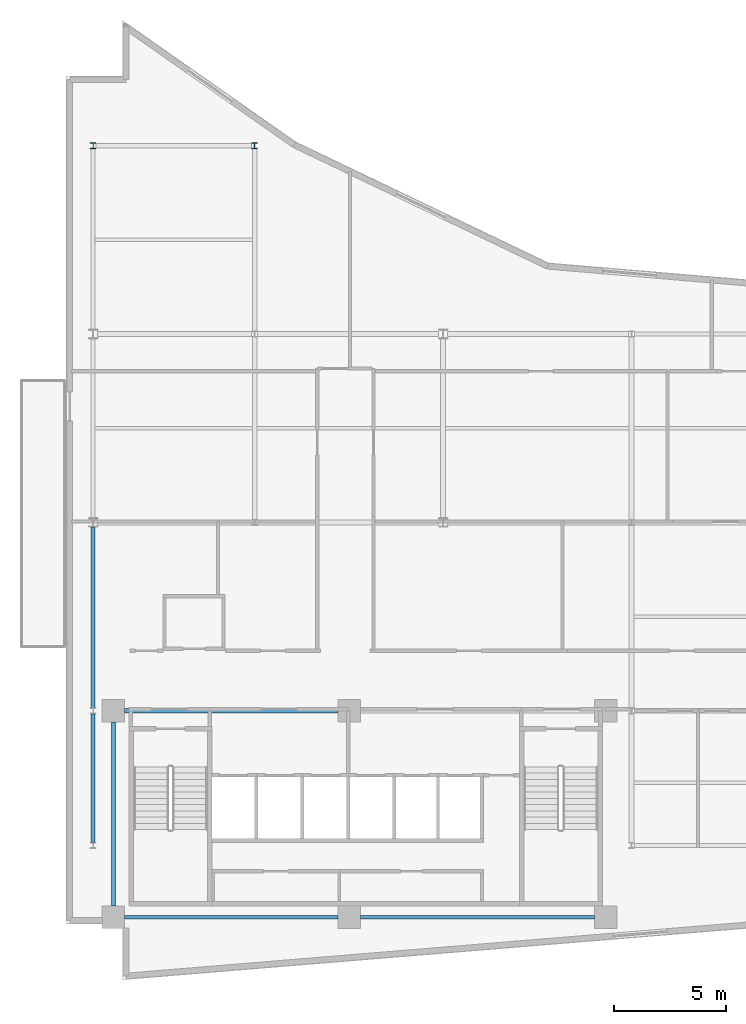
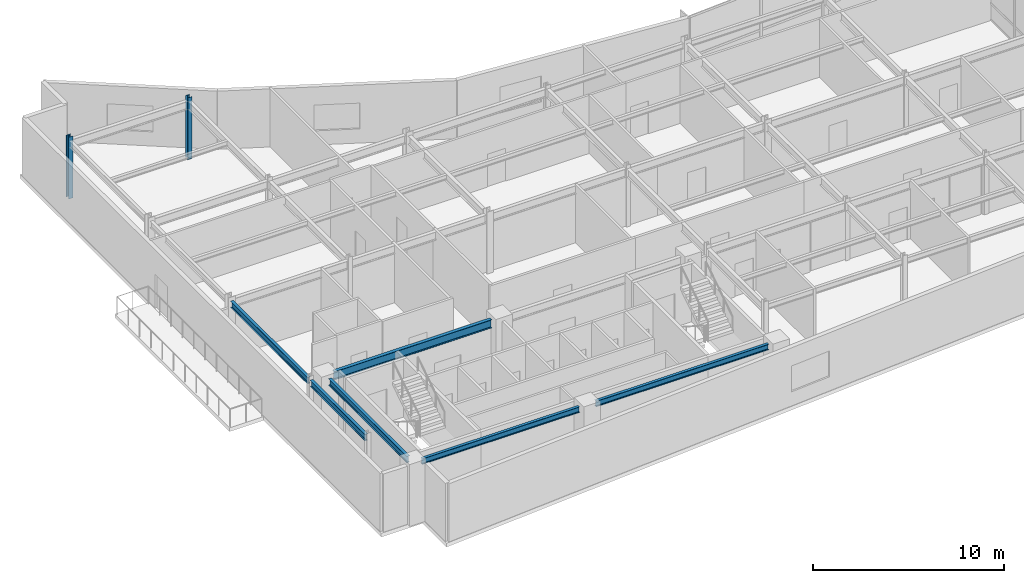
# One storey, part 3 of 15: 6 beams, 2 columns.
"""IFC4 building model written with IfcOpenShell, lengths in metres."""

import ifcopenshell
import ifcopenshell.guid

model = None  # the IFC model being written
_history = None  # IfcOwnerHistory: only IFC2X3 demands one
_inside = {}  # id of a spatial element -> (the spatial element, [elements in it])
_under = {}  # id of a project, library or spatial element -> (it, [spatial elements below it])
_declared = {}  # id of a project -> (the project, [libraries it declares])
_typed = {}  # id of a type object -> (the type object, [elements of that type])
_made_of = {}  # id of a material, layer set ... -> (it, [elements and type objects made of it])


def new_model(schema):
    """Start an empty IFC model of exactly this schema.

    Asked for "IFC4X3", IfcOpenShell would pick the latest addendum, in which some entities
    have other attributes; the version numbers below select the first issue.
    IFC2X3 requires an IfcOwnerHistory on every rooted entity: one is made here for all.
    """
    global model, _history
    if schema == "IFC4X3":
        model = ifcopenshell.file(schema_version=(4, 3, 0, 0))
    else:
        model = ifcopenshell.file(schema=schema)
    _inside.clear()
    _under.clear()
    _declared.clear()
    _typed.clear()
    _made_of.clear()
    _history = None
    if model.schema == "IFC2X3":
        org = make("IfcOrganization", Name="unknown")
        user = make(
            "IfcPersonAndOrganization",
            ThePerson=make("IfcPerson", FamilyName="unknown"),
            TheOrganization=org,
        )
        app = make(
            "IfcApplication",
            ApplicationDeveloper=org,
            Version="unknown",
            ApplicationFullName="unknown",
            ApplicationIdentifier="unknown",
        )
        _history = make(
            "IfcOwnerHistory",
            OwningUser=user,
            OwningApplication=app,
            ChangeAction="ADDED",
            CreationDate=0,
        )
    return model


def make(cls, **values):
    """One entity of the class cls with the attributes given. An attribute that is None is left unset."""
    return model.create_entity(
        cls, **{name: value for name, value in values.items() if value is not None}
    )


def rooted(cls, **values):
    """An entity with a GlobalId (a new one), such as an element, a storey or a relation."""
    return make(cls, GlobalId=ifcopenshell.guid.new(), OwnerHistory=_history, **values)


def si_unit(unit_type, name, prefix=None):
    """IfcSIUnit, for example si_unit("LENGTHUNIT", "METRE", prefix="MILLI")."""
    return make("IfcSIUnit", UnitType=unit_type, Prefix=prefix, Name=name)


def assignment(units):
    """IfcUnitAssignment: the units of a project."""
    return None if units is None else make("IfcUnitAssignment", Units=units)


def point(xyz):
    """IfcCartesianPoint."""
    return None if xyz is None else make("IfcCartesianPoint", Coordinates=xyz)


def direction(xyz):
    """IfcDirection."""
    return None if xyz is None else make("IfcDirection", DirectionRatios=xyz)


def frame(location, z_axis=None, x_axis=None):
    """IfcAxis2Placement3D, a coordinate frame: its origin and axes. An axis left out is left unset."""
    return make(
        "IfcAxis2Placement3D",
        Location=point(location),
        Axis=direction(z_axis),
        RefDirection=direction(x_axis),
    )


def frame_2d(location, x_axis=None):
    """IfcAxis2Placement2D, a coordinate frame in the plane: its origin and x axis."""
    return make(
        "IfcAxis2Placement2D", Location=point(location), RefDirection=direction(x_axis)
    )


def origin():
    """The frame at (0, 0, 0) with its axes left unset."""
    return frame((0.0, 0.0, 0.0))


def origin_2d():
    """The frame at (0, 0) in the plane with its x axis left unset."""
    return frame_2d((0.0, 0.0))


def place(relative_to, where):
    """IfcLocalPlacement: puts the frame where relative to a parent placement (None: the world)."""
    return make(
        "IfcLocalPlacement", PlacementRelTo=relative_to, RelativePlacement=where
    )


def context(
    kind, dimensions, precision=None, world=None, true_north=None, identifier=None
):
    """IfcGeometricRepresentationContext, for example the 3D "Model" context."""
    return make(
        "IfcGeometricRepresentationContext",
        ContextIdentifier=identifier,
        ContextType=kind,
        CoordinateSpaceDimension=dimensions,
        Precision=precision,
        WorldCoordinateSystem=world,
        TrueNorth=true_north,
    )


def subcontext(parent, identifier, kind, view, scale=None):
    """IfcGeometricRepresentationSubContext, for example "Body" below "Model"."""
    return make(
        "IfcGeometricRepresentationSubContext",
        ContextIdentifier=identifier,
        ContextType=kind,
        ParentContext=parent,
        TargetScale=scale,
        TargetView=view,
    )


def project(units=None, contexts=None):
    """IfcProject with its units and contexts."""
    return rooted(
        "IfcProject",
        Name="project",
        RepresentationContexts=contexts,
        UnitsInContext=assignment(units),
    )


def spatial(cls, under=None, at=None, **own):
    """A site, building, storey or space (cls), placed at a placement, below another one or the project."""
    s = rooted(cls, ObjectPlacement=at, **own)
    if under is not None:
        _under.setdefault(under.id(), (under, []))[1].append(s)
    return s


def profile(cls, at=None, kind="AREA", **sizes):
    """A parametric profile (cls). Its sizes go by their IFC names, for example OverallWidth=200.0."""
    return make(cls, ProfileType=kind, Position=at, **sizes)


def i_section(**sizes):
    """IfcIShapeProfileDef."""
    return profile("IfcIShapeProfileDef", **sizes)


def extrude(swept, where, along, depth):
    """IfcExtrudedAreaSolid: the profile swept, set in the frame where, extruded along a direction by depth."""
    return make(
        "IfcExtrudedAreaSolid",
        SweptArea=swept,
        Position=where,
        ExtrudedDirection=direction(along),
        Depth=depth,
    )


def shape(context_of_items, identifier, shape_type, items):
    """IfcShapeRepresentation: the items that make up one representation, for example the "Body"."""
    return make(
        "IfcShapeRepresentation",
        ContextOfItems=context_of_items,
        RepresentationIdentifier=identifier,
        RepresentationType=shape_type,
        Items=items,
    )


def material(Name=None, Category=None):
    """IfcMaterial."""
    return make("IfcMaterial", Name=Name, Category=Category)


def material_profile(
    of_material, cross_section, Name=None, Category=None, Priority=None
):
    """IfcMaterialProfile: a cross section and its material."""
    return make(
        "IfcMaterialProfile",
        Name=Name,
        Material=of_material,
        Profile=cross_section,
        Priority=Priority,
        Category=Category,
    )


def profile_set(profiles, Name=None, composite=None):
    """IfcMaterialProfileSet."""
    return make(
        "IfcMaterialProfileSet",
        Name=Name,
        MaterialProfiles=profiles,
        CompositeProfile=composite,
    )


def made_of(thing, what):
    """Note that an element or type object is made of a material, layer set ...; save() writes the relation."""
    if what is not None:
        _made_of.setdefault(what.id(), (what, []))[1].append(thing)
    return thing


def type_object(cls, material=None, **own):
    """A type object (cls), such as IfcWallType, which elements share."""
    return made_of(rooted(cls, **own), material)


def element(
    cls,
    number,
    at=None,
    inside=None,
    cuts=None,
    type_object=None,
    material=None,
    context=None,
    identifier="Body",
    shape_type=None,
    held_by="IfcProductDefinitionShape",
    body=None,
    shapes=None,
    **own,
):
    """One element of the class cls, such as IfcWall. Its Tag is "e" and its number.

    at: its placement. inside: the storey or other place that contains it. cuts: it is an
    opening in that element (IfcRelVoidsElement). A single representation is given by context,
    identifier, shape_type and body (its items); several are given by shapes. held_by: the class
    of the entity that holds the representations. save() writes the other relations.
    """
    e = rooted(cls, Tag="e%d" % number, ObjectPlacement=at, **own)
    if body is not None:
        shapes = [shape(context, identifier, shape_type, body)]
    if shapes is not None:
        e.Representation = make(held_by, Representations=shapes)
    if inside is not None:
        _inside.setdefault(inside.id(), (inside, []))[1].append(e)
    if cuts is not None:
        rooted(
            "IfcRelVoidsElement", RelatingBuildingElement=cuts, RelatedOpeningElement=e
        )
    if type_object is not None:
        _typed.setdefault(type_object.id(), (type_object, []))[1].append(e)
    return made_of(e, material)


def aggregate(whole, parts):
    """IfcRelAggregates: a whole, such as a stair, and the parts it consists of."""
    return rooted("IfcRelAggregates", RelatingObject=whole, RelatedObjects=parts)


def save(model, path):
    """Write the relations noted so far, then the file.

    IfcRelAggregates (storeys below a building ...), IfcRelContainedInSpatialStructure (elements
    in a storey), IfcRelDefinesByType, IfcRelAssociatesMaterial and IfcRelDeclares: one each for
    every whole, place, type object, material and project.
    """
    for whole, parts in _under.values():
        aggregate(whole, parts)
    for where, things in _inside.values():
        rooted(
            "IfcRelContainedInSpatialStructure",
            RelatedElements=things,
            RelatingStructure=where,
        )
    for kind, things in _typed.values():
        rooted("IfcRelDefinesByType", RelatedObjects=things, RelatingType=kind)
    for what, things in _made_of.values():
        rooted("IfcRelAssociatesMaterial", RelatedObjects=things, RelatingMaterial=what)
    for by, libraries in _declared.values():
        rooted("IfcRelDeclares", RelatingContext=by, RelatedDefinitions=libraries)
    model.write(path)


model = new_model("IFC4")

# Units and contexts
model_context = context("Model", 3, precision=1e-05, world=origin(), true_north=direction((0.0, 1.0)))
body_context = subcontext(model_context, "Body", "Model", "MODEL_VIEW")
ifc_project = project(units=[si_unit("LENGTHUNIT", "METRE"), si_unit("AREAUNIT", "SQUARE_METRE"), si_unit("VOLUMEUNIT", "CUBIC_METRE"), si_unit("PLANEANGLEUNIT", "RADIAN"), si_unit("MASSUNIT", "GRAM", prefix="KILO")], contexts=[model_context])

# Site, building, storey
site_placement = place(None, origin())
site = spatial("IfcSite", under=ifc_project, at=site_placement, CompositionType="ELEMENT")
building_placement = place(site_placement, origin())
building = spatial("IfcBuilding", under=site, at=building_placement, Name="Varnakote Quay Hospital", CompositionType="ELEMENT")
storey_placement = place(building_placement, frame((0.0, 0.0, 207.89990234375)))
storey = spatial("IfcBuildingStorey", under=building, at=storey_placement, Name="L51", CompositionType="ELEMENT", Elevation=207.89990234375)

# Columns
ifc_material_1 = material(Name="Structural steel AS/NZS 3679.1 Grade 350 L0 (fy 340 MPa)", Category="steel")
ifc_material_profile_1 = material_profile(ifc_material_1, i_section(OverallWidth=0.256103515625, OverallDepth=0.260009765625, WebThickness=0.010498046875, FlangeThickness=0.017333984375, FilletRadius=0.0126953125, at=origin_2d()), Name="250UC89.5")
ifc_profile_set_1 = profile_set([ifc_material_profile_1], Name="Structural steel AS/NZS 3679.1 Grade 350 L0 (fy 340 MPa)")
column_type = type_object("IfcColumnType", Name="COL-STL-250UC89-5", PredefinedType="COLUMN", material=ifc_profile_set_1)
for number, where, z_axis, x_axis, name in (
    (1, (1.199951171875, 37.199951171875, 0.0), (0.0, 0.0, 1.0), (1.0, 0.0, 0.0), "L51 Structural Column C-1-37"),
    (2, (8.39990234375, 37.199951171875, 0.0), (0.0, 0.0, 1.0), (1.0, 0.0, 0.0), "L51 Structural Column C-8-37"),
):
    element("IfcColumn", number, at=place(storey_placement, frame(where, z_axis=z_axis, x_axis=x_axis)), inside=storey, type_object=column_type, Name=name, PredefinedType="COLUMN", context=body_context, shape_type="SweptSolid", body=[
        extrude(i_section(OverallWidth=0.256103515625, OverallDepth=0.260009765625, WebThickness=0.010498046875, FlangeThickness=0.017333984375, FilletRadius=0.0126953125, at=origin_2d()), origin(), (0.0, 0.0, 1.0), 3.9501953125),
    ])

# Beams
ifc_material_2 = material(Name="Structural steel AS/NZS 3679.1 Grade 350 L0 (fy 340 MPa)", Category="steel")
ifc_material_profile_2 = material_profile(ifc_material_2, i_section(OverallWidth=0.208984375, OverallDepth=0.532958984375, WebThickness=0.01025390625, FlangeThickness=0.015625, FilletRadius=0.013916015625, at=origin_2d()), Name="530UB92.4")
ifc_profile_set_2 = profile_set([ifc_material_profile_2], Name="Structural steel AS/NZS 3679.1 Grade 350 L0 (fy 340 MPa)")
beam_type_1 = type_object("IfcBeamType", Name="BM-STL-530UB92-4", PredefinedType="BEAM", material=ifc_profile_set_2)
beam_1_placement = place(storey_placement, frame((2.60009765625, 12.0, 3.443603515625), z_axis=(1.0, 0.0, 0.0), x_axis=(0.0, 1.0, 0.0)))
element("IfcBeam", 3, at=beam_1_placement, inside=storey, type_object=beam_type_1, Name="L51 Primary Floor Beam", PredefinedType="BEAM", context=body_context, shape_type="SweptSolid", body=[
    extrude(i_section(OverallWidth=0.208984375, OverallDepth=0.532958984375, WebThickness=0.01025390625, FlangeThickness=0.015625, FilletRadius=0.013916015625, at=origin_2d()), origin(), (0.0, 0.0, 1.0), 9.52001953125),
])
ifc_material_3 = material(Name="Structural steel AS/NZS 3679.1 Grade 350 L0 (fy 340 MPa)", Category="steel")
ifc_material_profile_3 = material_profile(ifc_material_3, i_section(OverallWidth=0.172119140625, OverallDepth=0.35888671875, WebThickness=0.008056640625, FlangeThickness=0.012939453125, FilletRadius=0.011474609375, at=origin_2d()), Name="360UB56.7")
ifc_profile_set_3 = profile_set([ifc_material_profile_3], Name="Structural steel AS/NZS 3679.1 Grade 350 L0 (fy 340 MPa)")
beam_type_2 = type_object("IfcBeamType", Name="SPN-STL-360UB56-7", PredefinedType="SPANDREL", material=ifc_profile_set_3)
beam_2_placement = place(storey_placement, frame((2.60009765625, 2.800048828125, 3.530517578125), z_axis=(1.0, 0.0, 0.0), x_axis=(0.0, 1.0, 0.0)))
element("IfcBeam", 4, at=beam_2_placement, inside=storey, type_object=beam_type_2, Name="L51 Perimeter Spandrel Beam", PredefinedType="SPANDREL", context=body_context, shape_type="SweptSolid", body=[
    extrude(i_section(OverallWidth=0.172119140625, OverallDepth=0.35888671875, WebThickness=0.008056640625, FlangeThickness=0.012939453125, FilletRadius=0.011474609375, at=origin_2d()), origin(), (0.0, 0.0, 1.0), 9.52001953125),
])
beam_3_placement = place(storey_placement, frame((13.1201171875, 2.800048828125, 3.530517578125), z_axis=(1.0, 0.0, 0.0), x_axis=(0.0, 1.0, 0.0)))
element("IfcBeam", 5, at=beam_3_placement, inside=storey, type_object=beam_type_2, Name="L51 Perimeter Spandrel Beam", PredefinedType="SPANDREL", context=body_context, shape_type="SweptSolid", body=[
    extrude(i_section(OverallWidth=0.172119140625, OverallDepth=0.35888671875, WebThickness=0.008056640625, FlangeThickness=0.012939453125, FilletRadius=0.011474609375, at=origin_2d()), origin(), (0.0, 0.0, 1.0), 10.429931640625),
])
ifc_material_4 = material(Name="Structural steel AS/NZS 3679.1 Grade 350 L0 (fy 340 MPa)", Category="steel")
ifc_material_profile_4 = material_profile(ifc_material_4, i_section(OverallWidth=0.177978515625, OverallDepth=0.403076171875, WebThickness=0.007568359375, FlangeThickness=0.010986328125, FilletRadius=0.011474609375, at=origin_2d()), Name="410UB53.7")
ifc_profile_set_4 = profile_set([ifc_material_profile_4], Name="Structural steel AS/NZS 3679.1 Grade 350 L0 (fy 340 MPa)")
beam_type_3 = type_object("IfcBeamType", Name="SPN-STL-410UB53-7", PredefinedType="SPANDREL", material=ifc_profile_set_4)
beam_4_placement = place(storey_placement, frame((1.199951171875, 6.1298828125, 3.508544921875), z_axis=(0.0, 1.0, 0.0), x_axis=(-1.0, 0.0, 0.0)))
element("IfcBeam", 6, at=beam_4_placement, inside=storey, type_object=beam_type_3, Name="L51 Perimeter Spandrel Beam", PredefinedType="SPANDREL", context=body_context, shape_type="SweptSolid", body=[
    extrude(i_section(OverallWidth=0.177978515625, OverallDepth=0.403076171875, WebThickness=0.007568359375, FlangeThickness=0.010986328125, FilletRadius=0.011474609375, at=origin_2d()), origin(), (0.0, 0.0, 1.0), 5.740234375),
])
beam_5_placement = place(storey_placement, frame((1.199951171875, 12.1298828125, 3.508544921875), z_axis=(0.0, 1.0, 0.0), x_axis=(-1.0, 0.0, 0.0)))
element("IfcBeam", 7, at=beam_5_placement, inside=storey, type_object=beam_type_3, Name="L51 Perimeter Spandrel Beam", PredefinedType="SPANDREL", context=body_context, shape_type="SweptSolid", body=[
    extrude(i_section(OverallWidth=0.177978515625, OverallDepth=0.403076171875, WebThickness=0.007568359375, FlangeThickness=0.010986328125, FilletRadius=0.011474609375, at=origin_2d()), origin(), (0.0, 0.0, 1.0), 8.068115234375),
])
beam_6_placement = place(storey_placement, frame((2.10009765625, 3.300048828125, 3.508544921875), z_axis=(0.0, 1.0, 0.0), x_axis=(-1.0, 0.0, 0.0)))
element("IfcBeam", 8, at=beam_6_placement, inside=storey, type_object=beam_type_3, Name="L51 Perimeter Spandrel Beam", PredefinedType="SPANDREL", context=body_context, shape_type="SweptSolid", body=[
    extrude(i_section(OverallWidth=0.177978515625, OverallDepth=0.403076171875, WebThickness=0.007568359375, FlangeThickness=0.010986328125, FilletRadius=0.011474609375, at=origin_2d()), origin(), (0.0, 0.0, 1.0), 8.199951171875),
])

save(model, "model.ifc")
